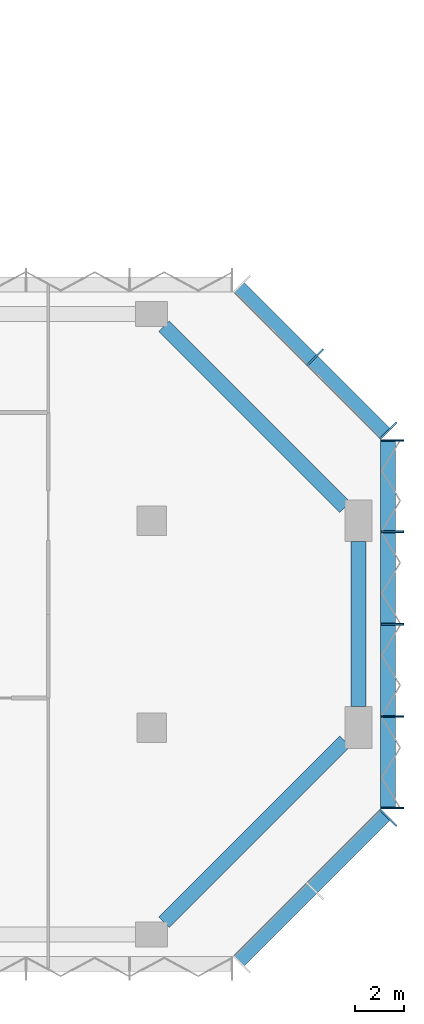
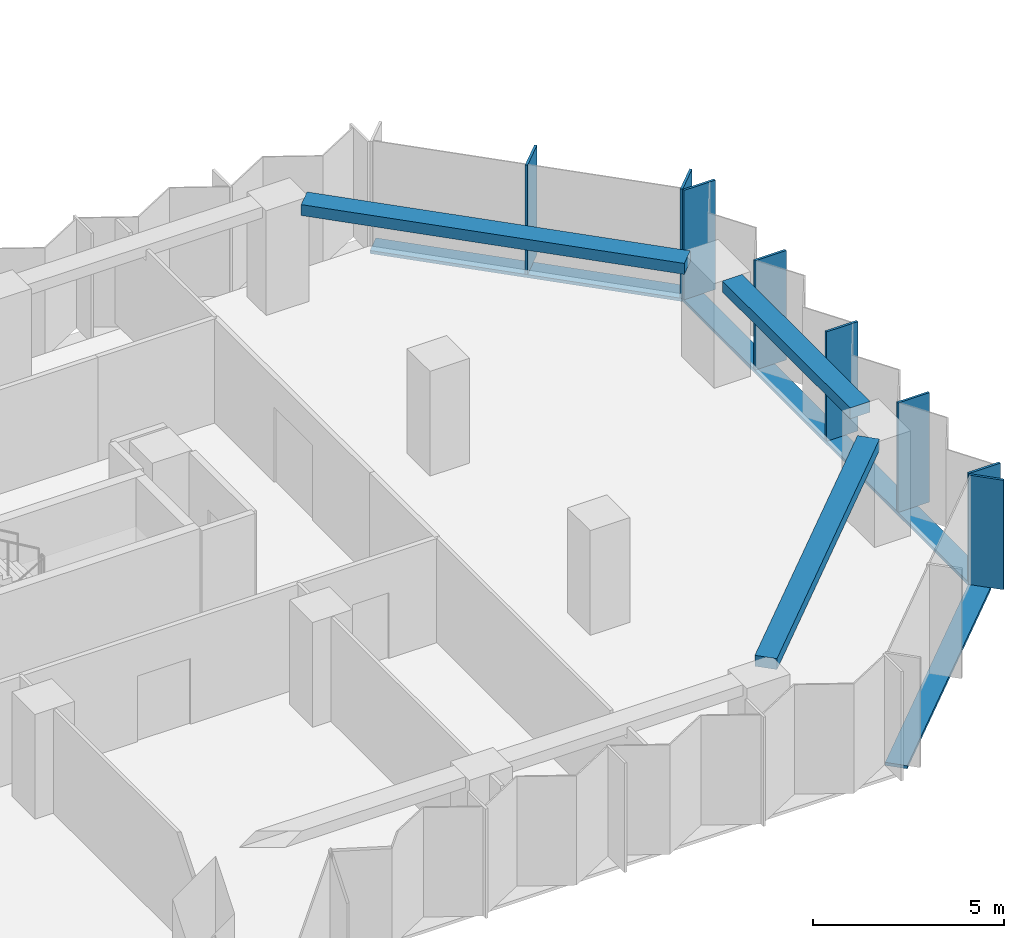
# One storey, part 4 of 13: 11 members, 3 beams, 3 elements without a shape of their own.
"""IFC4 building model written with IfcOpenShell, lengths in metres."""

from ifc_helpers import new_model, si_unit, direction, frame, origin, origin_2d, place, context, subcontext, project, spatial, rectangle, extrude, material, material_profile, profile_set, type_object, element, aggregate, save


model = new_model("IFC4")

# Units and contexts
model_context = context("Model", 3, precision=1e-05, world=origin(), true_north=direction((0.0, 1.0)))
body_context = subcontext(model_context, "Body", "Model", "MODEL_VIEW")
ifc_project = project(units=[si_unit("LENGTHUNIT", "METRE"), si_unit("AREAUNIT", "SQUARE_METRE"), si_unit("VOLUMEUNIT", "CUBIC_METRE"), si_unit("PLANEANGLEUNIT", "RADIAN"), si_unit("MASSUNIT", "GRAM", prefix="KILO")], contexts=[model_context])

# Site, building, storey
site_placement = place(None, origin())
site = spatial("IfcSite", under=ifc_project, at=site_placement, CompositionType="ELEMENT")
building_placement = place(site_placement, origin())
building = spatial("IfcBuilding", under=site, at=building_placement, Name="Brevane Broadcast Tower", CompositionType="ELEMENT")
storey_placement = place(building_placement, frame((0.0, 0.0, 116.89990234375)))
storey = spatial("IfcBuildingStorey", under=building, at=storey_placement, Name="L28", CompositionType="ELEMENT", Elevation=116.89990234375)

# Curtain wall, member
ifc_material_1 = material(Name="Aluminium 6063-T6 bronze anodised", Category="aluminium")
curtain_wall_type = type_object("IfcCurtainWallType", Name="CW-1 curtain wall", PredefinedType="NOTDEFINED", material=ifc_material_1)
curtain_wall_1_placement = place(storey_placement, origin())
curtain_wall_1 = element("IfcCurtainWall", 1, at=curtain_wall_1_placement, inside=storey, type_object=curtain_wall_type, Name="CW-1 typical tilted unit L28 south-east chamfer", PredefinedType="NOTDEFINED")
ifc_material_profile_1 = material_profile(ifc_material_1, rectangle(XDim=0.949951171875, YDim=0.070068359375, at=origin_2d()), Name="RECT 70x950")
ifc_profile_set_1 = profile_set([ifc_material_profile_1], Name="Aluminium 6063-T6 bronze anodised")
member_type_1 = type_object("IfcMemberType", Name="CW-1 mullion 70x950", PredefinedType="MULLION", material=ifc_profile_set_1)
member_1_placement = place(storey_placement, frame((68.4111328125, 4.7392578125, -0.14990234375), z_axis=(0.0, 0.0, 1.0), x_axis=(-0.707106781187, 0.707106781187, 0.0)))
member_1 = element("IfcMember", 2, at=member_1_placement, type_object=member_type_1, Name="CW-1 mullion", PredefinedType="MULLION", context=body_context, shape_type="SweptSolid", body=[
    extrude(rectangle(XDim=0.949951171875, YDim=0.070068359375, at=origin_2d()), origin(), (0.0, 0.0, 1.0), 3.5),
])

# Curtain wall, members
curtain_wall_2_placement = place(storey_placement, origin())
curtain_wall_2 = element("IfcCurtainWall", 3, at=curtain_wall_2_placement, inside=storey, type_object=curtain_wall_type, Name="CW-1 typical tilted unit L28 east end", PredefinedType="NOTDEFINED")
member_2_placement = place(storey_placement, frame((68.574951171875, 5.135009765625, -0.14990234375), z_axis=(0.0, 0.0, 1.0), x_axis=(-1.0, 0.0, 0.0)))
member_2 = element("IfcMember", 4, at=member_2_placement, type_object=member_type_1, Name="CW-1 mullion", PredefinedType="MULLION", context=body_context, shape_type="SweptSolid", body=[
    extrude(rectangle(XDim=0.949951171875, YDim=0.070068359375, at=origin_2d()), origin(), (0.0, 0.0, 1.0), 3.5),
])
member_3_placement = place(storey_placement, frame((68.574951171875, 8.85009765625, -0.14990234375), z_axis=(0.0, 0.0, 1.0), x_axis=(-1.0, 0.0, 0.0)))
member_3 = element("IfcMember", 5, at=member_3_placement, type_object=member_type_1, Name="CW-1 mullion", PredefinedType="MULLION", context=body_context, shape_type="SweptSolid", body=[
    extrude(rectangle(XDim=0.949951171875, YDim=0.070068359375, at=origin_2d()), origin(), (0.0, 0.0, 1.0), 3.5),
])
member_4_placement = place(storey_placement, frame((68.574951171875, 12.60009765625, -0.14990234375), z_axis=(0.0, 0.0, 1.0), x_axis=(-1.0, 0.0, 0.0)))
member_4 = element("IfcMember", 6, at=member_4_placement, type_object=member_type_1, Name="CW-1 mullion", PredefinedType="MULLION", context=body_context, shape_type="SweptSolid", body=[
    extrude(rectangle(XDim=0.949951171875, YDim=0.070068359375, at=origin_2d()), origin(), (0.0, 0.0, 1.0), 3.5),
])
member_5_placement = place(storey_placement, frame((68.574951171875, 16.35009765625, -0.14990234375), z_axis=(0.0, 0.0, 1.0), x_axis=(-1.0, 0.0, 0.0)))
member_5 = element("IfcMember", 7, at=member_5_placement, type_object=member_type_1, Name="CW-1 mullion", PredefinedType="MULLION", context=body_context, shape_type="SweptSolid", body=[
    extrude(rectangle(XDim=0.949951171875, YDim=0.070068359375, at=origin_2d()), origin(), (0.0, 0.0, 1.0), 3.5),
])
member_6_placement = place(storey_placement, frame((68.574951171875, 20.06494140625, -0.14990234375), z_axis=(0.0, 0.0, 1.0), x_axis=(-1.0, 0.0, 0.0)))
member_6 = element("IfcMember", 8, at=member_6_placement, type_object=member_type_1, Name="CW-1 mullion", PredefinedType="MULLION", context=body_context, shape_type="SweptSolid", body=[
    extrude(rectangle(XDim=0.949951171875, YDim=0.070068359375, at=origin_2d()), origin(), (0.0, 0.0, 1.0), 3.5),
])

curtain_wall_3_placement = place(storey_placement, origin())
curtain_wall_3 = element("IfcCurtainWall", 9, at=curtain_wall_3_placement, inside=storey, type_object=curtain_wall_type, Name="CW-1 typical tilted unit L28 north-east chamfer", PredefinedType="NOTDEFINED")
member_7_placement = place(storey_placement, frame((68.4111328125, 20.460693359375, -0.14990234375), z_axis=(0.0, 0.0, 1.0), x_axis=(-0.707106781187, -0.707106781187, 0.0)))
member_7 = element("IfcMember", 10, at=member_7_placement, type_object=member_type_1, Name="CW-1 mullion", PredefinedType="MULLION", context=body_context, shape_type="SweptSolid", body=[
    extrude(rectangle(XDim=0.949951171875, YDim=0.070068359375, at=origin_2d()), origin(), (0.0, 0.0, 1.0), 3.5),
])
member_8_placement = place(storey_placement, frame((65.435791015625, 23.435791015625, -0.14990234375), z_axis=(0.0, 0.0, 1.0), x_axis=(-0.707106781187, -0.707106781187, 0.0)))
member_8 = element("IfcMember", 11, at=member_8_placement, type_object=member_type_1, Name="CW-1 mullion", PredefinedType="MULLION", context=body_context, shape_type="SweptSolid", body=[
    extrude(rectangle(XDim=0.949951171875, YDim=0.070068359375, at=origin_2d()), origin(), (0.0, 0.0, 1.0), 3.5),
])

# Member
ifc_material_profile_2 = material_profile(ifc_material_1, rectangle(XDim=0.60009765625, YDim=0.10009765625, at=origin_2d()), Name="RECT 100x600")
ifc_profile_set_2 = profile_set([ifc_material_profile_2], Name="Aluminium 6063-T6 bronze anodised")
member_type_2 = type_object("IfcMemberType", Name="CW-1 transom 100x600", PredefinedType="USERDEFINED", material=ifc_profile_set_2)
member_9_placement = place(storey_placement, frame((62.31201171875, -1.112060546875, -0.199951171875), z_axis=(0.707106781187, 0.707106781187, 0.0), x_axis=(-0.707106781187, 0.707106781187, 0.0)))
member_9 = element("IfcMember", 12, at=member_9_placement, type_object=member_type_2, Name="CW-1 transom", ObjectType="TRANSOM", PredefinedType="USERDEFINED", context=body_context, shape_type="SweptSolid", body=[
    extrude(rectangle(XDim=0.60009765625, YDim=0.10009765625, at=origin_2d()), origin(), (0.0, 0.0, 1.0), 8.4853515625),
])

aggregate(curtain_wall_1, [member_1, member_9])

member_10_placement = place(storey_placement, frame((68.39990234375, 5.10009765625, -0.199951171875), z_axis=(0.0, 1.0, 0.0), x_axis=(-1.0, 0.0, 0.0)))
member_10 = element("IfcMember", 13, at=member_10_placement, type_object=member_type_2, Name="CW-1 transom", ObjectType="TRANSOM", PredefinedType="USERDEFINED", context=body_context, shape_type="SweptSolid", body=[
    extrude(rectangle(XDim=0.60009765625, YDim=0.10009765625, at=origin_2d()), origin(), (0.0, 0.0, 1.0), 15.0),
])

aggregate(curtain_wall_2, [member_2, member_3, member_4, member_5, member_6, member_10])

member_11_placement = place(storey_placement, frame((68.31201171875, 20.31201171875, -0.199951171875), z_axis=(-0.707106781187, 0.707106781187, 0.0), x_axis=(-0.707106781187, -0.707106781187, 0.0)))
member_11 = element("IfcMember", 14, at=member_11_placement, type_object=member_type_2, Name="CW-1 transom", ObjectType="TRANSOM", PredefinedType="USERDEFINED", context=body_context, shape_type="SweptSolid", body=[
    extrude(rectangle(XDim=0.60009765625, YDim=0.10009765625, at=origin_2d()), origin(), (0.0, 0.0, 1.0), 8.4853515625),
])

aggregate(curtain_wall_3, [member_7, member_8, member_11])

# Beams
ifc_material_2 = material(Name="Concrete C40/50", Category="concrete")
ifc_material_profile_3 = material_profile(ifc_material_2, rectangle(XDim=0.60009765625, YDim=0.35009765625, at=origin_2d()), Name="RC 600x350")
ifc_profile_set_3 = profile_set([ifc_material_profile_3], Name="Concrete C40/50")
beam_type = type_object("IfcBeamType", Name="RC SPANDREL BEAM 600x350 C40/50", PredefinedType="SPANDREL", material=ifc_profile_set_3)
beam_1_placement = place(storey_placement, frame((59.300048828125, 0.5, 3.175048828125), z_axis=(0.707095037275, 0.707118524903, 0.0), x_axis=(-0.707118524903, 0.707095037275, 0.0)))
element("IfcBeam", 15, at=beam_1_placement, inside=storey, type_object=beam_type, Name="EB1 L28-5", PredefinedType="SPANDREL", context=body_context, shape_type="SweptSolid", body=[
    extrude(rectangle(XDim=0.60009765625, YDim=0.35009765625, at=origin_2d()), origin(), (0.0, 0.0, 1.0), 10.39453125),
])
beam_2_placement = place(storey_placement, frame((67.199951171875, 9.25, 3.175048828125), z_axis=(0.0, 1.0, 0.0), x_axis=(-1.0, 0.0, 0.0)))
element("IfcBeam", 16, at=beam_2_placement, inside=storey, type_object=beam_type, Name="EB1 L28-6", PredefinedType="SPANDREL", context=body_context, shape_type="SweptSolid", body=[
    extrude(rectangle(XDim=0.60009765625, YDim=0.35009765625, at=origin_2d()), origin(), (0.0, 0.0, 1.0), 6.699951171875),
])
beam_3_placement = place(storey_placement, frame((66.64990234375, 17.35009765625, 3.175048828125), z_axis=(-0.707106781187, 0.707106781187, 0.0), x_axis=(-0.707106781187, -0.707106781187, 0.0)))
element("IfcBeam", 17, at=beam_3_placement, inside=storey, type_object=beam_type, Name="EB1 L28-7", PredefinedType="SPANDREL", context=body_context, shape_type="SweptSolid", body=[
    extrude(rectangle(XDim=0.60009765625, YDim=0.35009765625, at=origin_2d()), origin(), (0.0, 0.0, 1.0), 10.394287109375),
])

save(model, "model.ifc")
